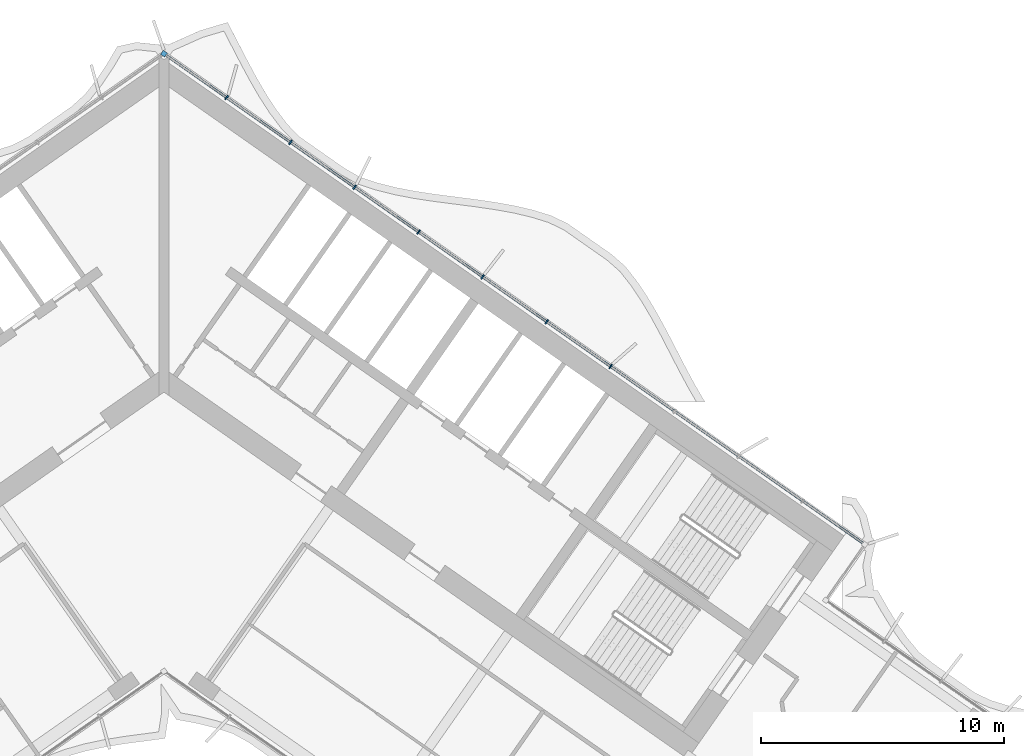
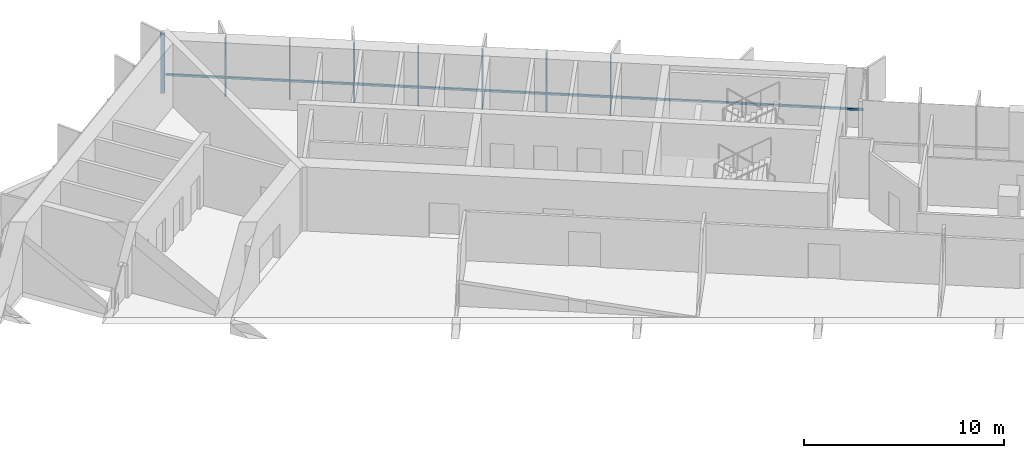
# One storey, part 8 of 22: 9 members, 1 element without a shape of its own.
"""IFC4 building model written with IfcOpenShell, lengths in metres."""

from ifc_helpers import new_model, si_unit, direction, frame, origin, origin_2d, place, context, subcontext, project, spatial, rectangle, extrude, material, material_profile, profile_set, type_object, element, aggregate, save


model = new_model("IFC4")

# Units and contexts
model_context = context("Model", 3, precision=1e-05, world=origin(), true_north=direction((0.0, 1.0)))
body_context = subcontext(model_context, "Body", "Model", "MODEL_VIEW")
ifc_project = project(units=[si_unit("LENGTHUNIT", "METRE"), si_unit("AREAUNIT", "SQUARE_METRE"), si_unit("VOLUMEUNIT", "CUBIC_METRE"), si_unit("PLANEANGLEUNIT", "RADIAN"), si_unit("MASSUNIT", "GRAM", prefix="KILO")], contexts=[model_context])

# Site, building, storey
site_placement = place(None, origin())
site = spatial("IfcSite", under=ifc_project, at=site_placement, CompositionType="ELEMENT")
building_placement = place(site_placement, origin())
building = spatial("IfcBuilding", under=site, at=building_placement, Name="Tel Ilan Convention Tower", CompositionType="ELEMENT")
storey_placement = place(building_placement, frame((0.0, 0.0, 143.699951171875)))
storey = spatial("IfcBuildingStorey", under=building, at=storey_placement, Name="L32", CompositionType="ELEMENT", Elevation=143.699951171875)

# Curtain wall, members
ifc_material_1 = material(Name="Aluminium, bronze anodised", Category="aluminium")
curtain_wall_type = type_object("IfcCurtainWallType", Name="CW2 STICK CURTAIN WALL, SPANDREL PANELS", PredefinedType="NOTDEFINED", material=ifc_material_1)
curtain_wall_placement = place(storey_placement, origin())
curtain_wall = element("IfcCurtainWall", 1, at=curtain_wall_placement, inside=storey, type_object=curtain_wall_type, Name="Curtain wall CW2-26.03", PredefinedType="NOTDEFINED")
ifc_material_2 = material(Name="Aluminium, bronze anodised", Category="aluminium")
ifc_material_profile_1 = material_profile(ifc_material_2, rectangle(XDim=0.199951171875, YDim=0.199951171875, at=origin_2d()), Name="CW CORNER MULLION 200x200")
ifc_profile_set_1 = profile_set([ifc_material_profile_1], Name="Aluminium, bronze anodised")
member_type_1 = type_object("IfcMemberType", Name="CW CORNER MULLION 200x200", PredefinedType="MULLION", material=ifc_profile_set_1)
member_1_placement = place(storey_placement, frame((0.0, 12.696044921875, 0.0), z_axis=(0.0, 0.0, 1.0), x_axis=(-0.819152044289, 0.573576436351, 0.0)))
member_1 = element("IfcMember", 2, at=member_1_placement, type_object=member_type_1, Name="Corner mullion", PredefinedType="MULLION", context=body_context, shape_type="SweptSolid", body=[
    extrude(rectangle(XDim=0.199951171875, YDim=0.199951171875, at=origin_2d()), origin(), (0.0, 0.0, 1.0), 3.6201171875),
])
ifc_material_3 = material(Name="Aluminium, bronze anodised", Category="aluminium")
ifc_material_profile_2 = material_profile(ifc_material_3, rectangle(XDim=0.06005859375, YDim=0.199951171875, at=origin_2d()), Name="CW MULLION 60x200")
ifc_profile_set_2 = profile_set([ifc_material_profile_2], Name="Aluminium, bronze anodised")
member_type_2 = type_object("IfcMemberType", Name="CW MULLION 60x200", PredefinedType="MULLION", material=ifc_profile_set_2)
member_2_placement = place(storey_placement, frame((18.37109375, -0.16748046875, 0.0), z_axis=(0.0, 0.0, 1.0), x_axis=(-0.819152044289, 0.573576436351, 0.0)))
member_2 = element("IfcMember", 3, at=member_2_placement, type_object=member_type_2, Name="Mullion", PredefinedType="MULLION", context=body_context, shape_type="SweptSolid", body=[
    extrude(rectangle(XDim=0.06005859375, YDim=0.199951171875, at=origin_2d()), origin(), (0.0, 0.0, 1.0), 3.6201171875),
])
member_3_placement = place(storey_placement, frame((15.73828125, 1.676025390625, 0.0), z_axis=(0.0, 0.0, 1.0), x_axis=(-0.819152044289, 0.573576436351, 0.0)))
member_3 = element("IfcMember", 4, at=member_3_placement, type_object=member_type_2, Name="Mullion", PredefinedType="MULLION", context=body_context, shape_type="SweptSolid", body=[
    extrude(rectangle(XDim=0.06005859375, YDim=0.199951171875, at=origin_2d()), origin(), (0.0, 0.0, 1.0), 3.6201171875),
])
member_4_placement = place(storey_placement, frame((13.105712890625, 3.519287109375, 0.0), z_axis=(0.0, 0.0, 1.0), x_axis=(-0.819152044289, 0.573576436351, 0.0)))
member_4 = element("IfcMember", 5, at=member_4_placement, type_object=member_type_2, Name="Mullion", PredefinedType="MULLION", context=body_context, shape_type="SweptSolid", body=[
    extrude(rectangle(XDim=0.06005859375, YDim=0.199951171875, at=origin_2d()), origin(), (0.0, 0.0, 1.0), 3.6201171875),
])
member_5_placement = place(storey_placement, frame((10.47314453125, 5.36279296875, 0.0), z_axis=(0.0, 0.0, 1.0), x_axis=(-0.819152044289, 0.573576436351, 0.0)))
member_5 = element("IfcMember", 6, at=member_5_placement, type_object=member_type_2, Name="Mullion", PredefinedType="MULLION", context=body_context, shape_type="SweptSolid", body=[
    extrude(rectangle(XDim=0.06005859375, YDim=0.199951171875, at=origin_2d()), origin(), (0.0, 0.0, 1.0), 3.6201171875),
])
member_6_placement = place(storey_placement, frame((7.840576171875, 7.2060546875, 0.0), z_axis=(0.0, 0.0, 1.0), x_axis=(-0.819152044289, 0.573576436351, 0.0)))
member_6 = element("IfcMember", 7, at=member_6_placement, type_object=member_type_2, Name="Mullion", PredefinedType="MULLION", context=body_context, shape_type="SweptSolid", body=[
    extrude(rectangle(XDim=0.06005859375, YDim=0.199951171875, at=origin_2d()), origin(), (0.0, 0.0, 1.0), 3.6201171875),
])
member_7_placement = place(storey_placement, frame((5.207763671875, 9.049560546875, 0.0), z_axis=(0.0, 0.0, 1.0), x_axis=(-0.819152044289, 0.573576436351, 0.0)))
member_7 = element("IfcMember", 8, at=member_7_placement, type_object=member_type_2, Name="Mullion", PredefinedType="MULLION", context=body_context, shape_type="SweptSolid", body=[
    extrude(rectangle(XDim=0.06005859375, YDim=0.199951171875, at=origin_2d()), origin(), (0.0, 0.0, 1.0), 3.6201171875),
])
member_8_placement = place(storey_placement, frame((2.5751953125, 10.892822265625, 0.0), z_axis=(0.0, 0.0, 1.0), x_axis=(-0.819152044289, 0.573576436351, 0.0)))
member_8 = element("IfcMember", 9, at=member_8_placement, type_object=member_type_2, Name="Mullion", PredefinedType="MULLION", context=body_context, shape_type="SweptSolid", body=[
    extrude(rectangle(XDim=0.06005859375, YDim=0.199951171875, at=origin_2d()), origin(), (0.0, 0.0, 1.0), 3.6201171875),
])
ifc_material_4 = material(Name="Aluminium, bronze anodised", Category="aluminium")
ifc_material_profile_3 = material_profile(ifc_material_4, rectangle(XDim=0.10009765625, YDim=0.1201171875, at=origin_2d()), Name="CW TRANSOM 100x120")
ifc_profile_set_3 = profile_set([ifc_material_profile_3], Name="Aluminium, bronze anodised")
member_type_3 = type_object("IfcMemberType", Name="CW TRANSOM 100x120", PredefinedType="USERDEFINED", material=ifc_profile_set_3)
member_9_placement = place(storey_placement, frame((28.737548828125, -7.42626953125, 1.10009765625), z_axis=(-0.819150201937, 0.573579067494, 0.0), x_axis=(-0.573579067494, -0.819150201937, 0.0)))
member_9 = element("IfcMember", 10, at=member_9_placement, type_object=member_type_3, Name="Transom", ObjectType="TRANSOM", PredefinedType="USERDEFINED", context=body_context, shape_type="SweptSolid", body=[
    extrude(rectangle(XDim=0.10009765625, YDim=0.1201171875, at=origin_2d()), origin(), (0.0, 0.0, 1.0), 34.9521484375),
])
aggregate(curtain_wall, [member_2, member_3, member_4, member_5, member_6, member_7, member_8, member_1, member_9])

save(model, "model.ifc")
